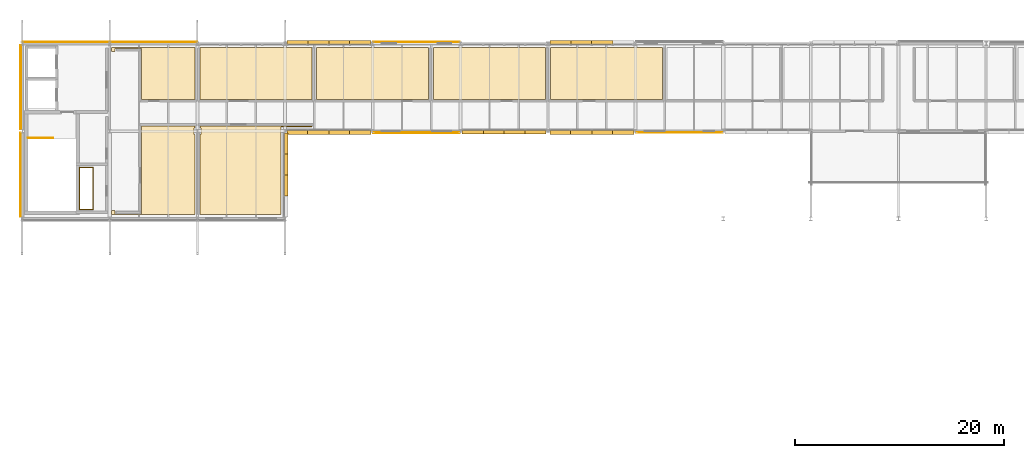
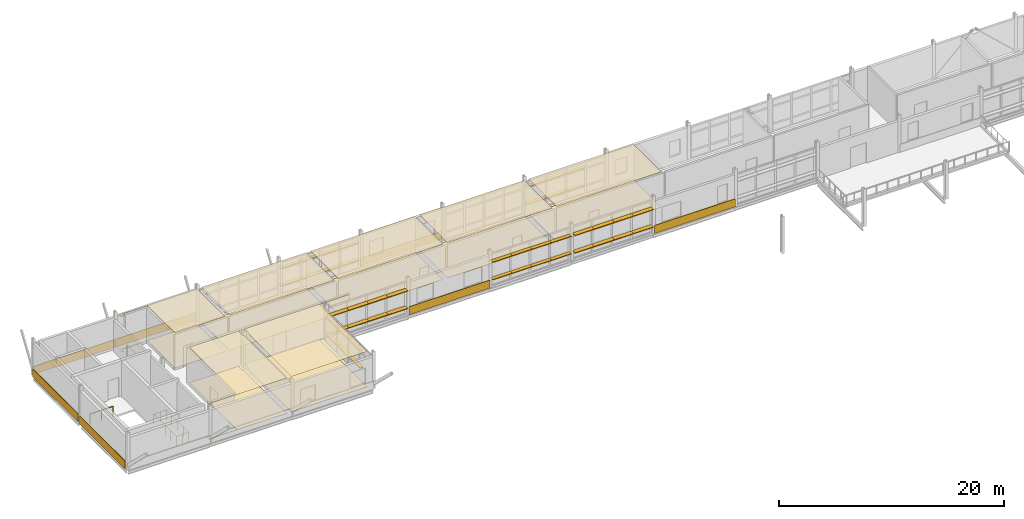
# One storey, part 53 of 57: 44 shading devices, 21 coverings, 2 railings.
"""IFC4 building model written with IfcOpenShell, lengths in metres."""

from ifc_helpers import new_model, si_unit, direction, frame, origin, origin_2d, place, context, subcontext, project, spatial, polyline, rectangle, circle, outline, extrude, material, layer, layer_set, type_object, element, save


model = new_model("IFC4")

# Units and contexts
model_context = context("Model", 3, precision=1e-05, world=origin(), true_north=direction((0.0, 1.0)))
body_context = subcontext(model_context, "Body", "Model", "MODEL_VIEW")
ifc_project = project(units=[si_unit("LENGTHUNIT", "METRE"), si_unit("AREAUNIT", "SQUARE_METRE"), si_unit("VOLUMEUNIT", "CUBIC_METRE"), si_unit("PLANEANGLEUNIT", "RADIAN"), si_unit("MASSUNIT", "GRAM", prefix="KILO")], contexts=[model_context])

# Site, building, storey
site_placement = place(None, origin())
site = spatial("IfcSite", under=ifc_project, at=site_placement, CompositionType="ELEMENT")
building_placement = place(site_placement, origin())
building = spatial("IfcBuilding", under=site, at=building_placement, Name="Mersafa Astral City Hall", CompositionType="ELEMENT")
storey_placement = place(building_placement, frame((0.0, 0.0, 26.10009765625)))
storey = spatial("IfcBuildingStorey", under=building, at=storey_placement, Name="L06", CompositionType="ELEMENT", Elevation=26.10009765625)

# Coverings
ifc_material_1 = material(Name="Cairo Mokattam buff limestone cladding", Category="masonry")
ifc_layer_1 = layer(ifc_material_1, 0.06005859375, Name="Cairo Mokattam buff limestone cladding")
ifc_layer_set_1 = layer_set([ifc_layer_1], Name="Cairo Mokattam buff limestone cladding — ENV-COV-LIMESTONE-60")
covering_type_1 = type_object("IfcCoveringType", Name="ENV-COV-LIMESTONE-60", PredefinedType="CLADDING", material=ifc_layer_set_1)
for number, where, z_axis, x_axis, name in (
    (1, (79.800048828125, 126.162109375, 0.0), (0.0, 0.0, 1.0), (-1.0, 0.0, 0.0), "L06 Cairo buff limestone rainscreen cladding 357"),
    (2, (54.60009765625, 126.154541015625, 0.0), (0.0, 0.0, 1.0), (-1.0, 0.0, 0.0), "L06 Cairo buff limestone rainscreen cladding 358"),
    (3, (46.199951171875, 126.14697265625, 0.0), (0.0, 0.0, 1.0), (-1.0, 0.0, 0.0), "L06 Cairo buff limestone rainscreen cladding 359"),
):
    element("IfcCovering", number, at=place(storey_placement, frame(where, z_axis=z_axis, x_axis=x_axis)), inside=storey, type_object=covering_type_1, Name=name, PredefinedType="CLADDING", context=body_context, shape_type="SweptSolid", body=[
        extrude(rectangle(XDim=8.323974609375, YDim=0.06005859375, at=origin_2d()), origin(), (0.0, 0.0, 1.0), 0.860107421875),
    ])
for number, where, z_axis, x_axis, name in (
    (4, (41.860595703125, 121.800048828125, 0.0), (0.0, 0.0, 1.0), (0.0, -1.0, 0.0), "L06 Cairo buff limestone rainscreen cladding 360"),
    (5, (41.822998046875, 113.39990234375, 0.0), (0.0, 0.0, 1.0), (0.0, -1.0, 0.0), "L06 Cairo buff limestone rainscreen cladding 361"),
):
    element("IfcCovering", number, at=place(storey_placement, frame(where, z_axis=z_axis, x_axis=x_axis)), inside=storey, type_object=covering_type_1, Name=name, PredefinedType="CLADDING", context=body_context, shape_type="SweptSolid", body=[
        extrude(rectangle(XDim=8.048095703125, YDim=0.06005859375, at=origin_2d()), origin(), (0.0, 0.0, 1.0), 0.860107421875),
    ])
for number, where, z_axis, x_axis, name in (
    (6, (79.800048828125, 117.452880859375, 0.0), (0.0, 0.0, 1.0), (1.0, 0.0, 0.0), "L06 Cairo buff limestone rainscreen cladding 365"),
    (7, (105.0, 117.46044921875, 0.0), (0.0, 0.0, 1.0), (1.0, 0.0, 0.0), "L06 Cairo buff limestone rainscreen cladding 366"),
):
    element("IfcCovering", number, at=place(storey_placement, frame(where, z_axis=z_axis, x_axis=x_axis)), inside=storey, type_object=covering_type_1, Name=name, PredefinedType="CLADDING", context=body_context, shape_type="SweptSolid", body=[
        extrude(rectangle(XDim=8.323974609375, YDim=0.06005859375, at=origin_2d()), origin(), (0.0, 0.0, 1.0), 0.860107421875),
    ])

# Shading devices
ifc_material_2 = material(Name="Kiln-dried cedar timber brise-soleil blade", Category="wood")
shading_device_type_1 = type_object("IfcShadingDeviceType", Name="ENV-SHD-LOUVRE-380", PredefinedType="JALOUSIE", material=ifc_material_2)
for number, where, z_axis, x_axis, name in (
    (8, (97.609619140625, 126.080078125, 0.81494140625), (0.0, 0.0, 1.0), (-1.0, 0.0, 0.0), "L06 Horizontal cedar brise-soleil louvre 1654"),
    (9, (95.590576171875, 126.080078125, 0.81494140625), (0.0, 0.0, 1.0), (-1.0, 0.0, 0.0), "L06 Horizontal cedar brise-soleil louvre 1655"),
):
    element("IfcShadingDevice", number, at=place(storey_placement, frame(where, z_axis=z_axis, x_axis=x_axis)), inside=storey, type_object=shading_device_type_1, Name=name, PredefinedType="JALOUSIE", context=body_context, shape_type="SweptSolid", body=[
        extrude(rectangle(XDim=2.05908203125, YDim=0.3798828125, at=origin_2d()), origin(), (0.0, 0.0, 1.0), 0.070068359375),
    ])
shading_device_1_placement = place(storey_placement, frame((93.58642578125, 126.080078125, 0.81494140625), z_axis=(0.0, 0.0, 1.0), x_axis=(-1.0, 0.0, 0.0)))
element("IfcShadingDevice", 10, at=shading_device_1_placement, inside=storey, type_object=shading_device_type_1, Name="L06 Horizontal cedar brise-soleil louvre 1656", PredefinedType="JALOUSIE", context=body_context, shape_type="SweptSolid", body=[
    extrude(rectangle(XDim=2.029052734375, YDim=0.3798828125, at=origin_2d()), origin(), (0.0, 0.0, 1.0), 0.070068359375),
])
for number, where, z_axis, x_axis, name in (
    (11, (97.609619140625, 126.080078125, 2.71484375), (0.0, 0.0, 1.0), (-1.0, 0.0, 0.0), "L06 Horizontal cedar brise-soleil louvre 1658"),
    (12, (95.590576171875, 126.080078125, 2.71484375), (0.0, 0.0, 1.0), (-1.0, 0.0, 0.0), "L06 Horizontal cedar brise-soleil louvre 1659"),
):
    element("IfcShadingDevice", number, at=place(storey_placement, frame(where, z_axis=z_axis, x_axis=x_axis)), inside=storey, type_object=shading_device_type_1, Name=name, PredefinedType="JALOUSIE", context=body_context, shape_type="SweptSolid", body=[
        extrude(rectangle(XDim=2.05908203125, YDim=0.3798828125, at=origin_2d()), origin(), (0.0, 0.0, 1.0), 0.070068359375),
    ])
for number, where, z_axis, x_axis, name in (
    (13, (93.58642578125, 126.080078125, 2.71484375), (0.0, 0.0, 1.0), (-1.0, 0.0, 0.0), "L06 Horizontal cedar brise-soleil louvre 1660"),
    (14, (74.41357421875, 126.080078125, 0.81494140625), (0.0, 0.0, 1.0), (-1.0, 0.0, 0.0), "L06 Horizontal cedar brise-soleil louvre 1661"),
):
    element("IfcShadingDevice", number, at=place(storey_placement, frame(where, z_axis=z_axis, x_axis=x_axis)), inside=storey, type_object=shading_device_type_1, Name=name, PredefinedType="JALOUSIE", context=body_context, shape_type="SweptSolid", body=[
        extrude(rectangle(XDim=2.029052734375, YDim=0.3798828125, at=origin_2d()), origin(), (0.0, 0.0, 1.0), 0.070068359375),
    ])
for number, where, z_axis, x_axis, name in (
    (15, (72.409423828125, 126.080078125, 0.81494140625), (0.0, 0.0, 1.0), (-1.0, 0.0, 0.0), "L06 Horizontal cedar brise-soleil louvre 1662"),
    (16, (70.390380859375, 126.080078125, 0.81494140625), (0.0, 0.0, 1.0), (-1.0, 0.0, 0.0), "L06 Horizontal cedar brise-soleil louvre 1663"),
):
    element("IfcShadingDevice", number, at=place(storey_placement, frame(where, z_axis=z_axis, x_axis=x_axis)), inside=storey, type_object=shading_device_type_1, Name=name, PredefinedType="JALOUSIE", context=body_context, shape_type="SweptSolid", body=[
        extrude(rectangle(XDim=2.05908203125, YDim=0.3798828125, at=origin_2d()), origin(), (0.0, 0.0, 1.0), 0.070068359375),
    ])
for number, where, z_axis, x_axis, name in (
    (17, (68.386474609375, 126.080078125, 0.81494140625), (0.0, 0.0, 1.0), (-1.0, 0.0, 0.0), "L06 Horizontal cedar brise-soleil louvre 1664"),
    (18, (74.41357421875, 126.080078125, 2.71484375), (0.0, 0.0, 1.0), (-1.0, 0.0, 0.0), "L06 Horizontal cedar brise-soleil louvre 1665"),
):
    element("IfcShadingDevice", number, at=place(storey_placement, frame(where, z_axis=z_axis, x_axis=x_axis)), inside=storey, type_object=shading_device_type_1, Name=name, PredefinedType="JALOUSIE", context=body_context, shape_type="SweptSolid", body=[
        extrude(rectangle(XDim=2.029052734375, YDim=0.3798828125, at=origin_2d()), origin(), (0.0, 0.0, 1.0), 0.070068359375),
    ])
for number, where, z_axis, x_axis, name in (
    (19, (72.409423828125, 126.080078125, 2.71484375), (0.0, 0.0, 1.0), (-1.0, 0.0, 0.0), "L06 Horizontal cedar brise-soleil louvre 1666"),
    (20, (70.390380859375, 126.080078125, 2.71484375), (0.0, 0.0, 1.0), (-1.0, 0.0, 0.0), "L06 Horizontal cedar brise-soleil louvre 1667"),
):
    element("IfcShadingDevice", number, at=place(storey_placement, frame(where, z_axis=z_axis, x_axis=x_axis)), inside=storey, type_object=shading_device_type_1, Name=name, PredefinedType="JALOUSIE", context=body_context, shape_type="SweptSolid", body=[
        extrude(rectangle(XDim=2.05908203125, YDim=0.3798828125, at=origin_2d()), origin(), (0.0, 0.0, 1.0), 0.070068359375),
    ])
shading_device_2_placement = place(storey_placement, frame((68.386474609375, 126.080078125, 2.71484375), z_axis=(0.0, 0.0, 1.0), x_axis=(-1.0, 0.0, 0.0)))
element("IfcShadingDevice", 21, at=shading_device_2_placement, inside=storey, type_object=shading_device_type_1, Name="L06 Horizontal cedar brise-soleil louvre 1668", PredefinedType="JALOUSIE", context=body_context, shape_type="SweptSolid", body=[
    extrude(rectangle(XDim=2.029052734375, YDim=0.3798828125, at=origin_2d()), origin(), (0.0, 0.0, 1.0), 0.070068359375),
])
for number, where, z_axis, x_axis, name in (
    (22, (67.280029296875, 112.390380859375, 0.81494140625), (0.0, 0.0, 1.0), (0.0, 1.0, 0.0), "L06 Horizontal cedar brise-soleil louvre 1670"),
    (23, (67.280029296875, 114.409423828125, 0.81494140625), (0.0, 0.0, 1.0), (0.0, 1.0, 0.0), "L06 Horizontal cedar brise-soleil louvre 1671"),
):
    element("IfcShadingDevice", number, at=place(storey_placement, frame(where, z_axis=z_axis, x_axis=x_axis)), inside=storey, type_object=shading_device_type_1, Name=name, PredefinedType="JALOUSIE", context=body_context, shape_type="SweptSolid", body=[
        extrude(rectangle(XDim=2.05908203125, YDim=0.3798828125, at=origin_2d()), origin(), (0.0, 0.0, 1.0), 0.070068359375),
    ])
shading_device_3_placement = place(storey_placement, frame((67.280029296875, 116.41357421875, 0.81494140625), z_axis=(0.0, 0.0, 1.0), x_axis=(0.0, 1.0, 0.0)))
element("IfcShadingDevice", 24, at=shading_device_3_placement, inside=storey, type_object=shading_device_type_1, Name="L06 Horizontal cedar brise-soleil louvre 1672", PredefinedType="JALOUSIE", context=body_context, shape_type="SweptSolid", body=[
    extrude(rectangle(XDim=2.029052734375, YDim=0.3798828125, at=origin_2d()), origin(), (0.0, 0.0, 1.0), 0.070068359375),
])
for number, where, z_axis, x_axis, name in (
    (25, (67.280029296875, 112.390380859375, 2.71484375), (0.0, 0.0, 1.0), (0.0, 1.0, 0.0), "L06 Horizontal cedar brise-soleil louvre 1674"),
    (26, (67.280029296875, 114.409423828125, 2.71484375), (0.0, 0.0, 1.0), (0.0, 1.0, 0.0), "L06 Horizontal cedar brise-soleil louvre 1675"),
):
    element("IfcShadingDevice", number, at=place(storey_placement, frame(where, z_axis=z_axis, x_axis=x_axis)), inside=storey, type_object=shading_device_type_1, Name=name, PredefinedType="JALOUSIE", context=body_context, shape_type="SweptSolid", body=[
        extrude(rectangle(XDim=2.05908203125, YDim=0.3798828125, at=origin_2d()), origin(), (0.0, 0.0, 1.0), 0.070068359375),
    ])
for number, where, z_axis, x_axis, name in (
    (27, (67.280029296875, 116.41357421875, 2.71484375), (0.0, 0.0, 1.0), (0.0, 1.0, 0.0), "L06 Horizontal cedar brise-soleil louvre 1676"),
    (28, (85.1865234375, 117.52001953125, 0.81494140625), (0.0, 0.0, 1.0), (1.0, 0.0, 0.0), "L06 Horizontal cedar brise-soleil louvre 1685"),
):
    element("IfcShadingDevice", number, at=place(storey_placement, frame(where, z_axis=z_axis, x_axis=x_axis)), inside=storey, type_object=shading_device_type_1, Name=name, PredefinedType="JALOUSIE", context=body_context, shape_type="SweptSolid", body=[
        extrude(rectangle(XDim=2.029052734375, YDim=0.3798828125, at=origin_2d()), origin(), (0.0, 0.0, 1.0), 0.070068359375),
    ])
for number, where, z_axis, x_axis, name in (
    (29, (87.1904296875, 117.52001953125, 0.81494140625), (0.0, 0.0, 1.0), (1.0, 0.0, 0.0), "L06 Horizontal cedar brise-soleil louvre 1686"),
    (30, (89.20947265625, 117.52001953125, 0.81494140625), (0.0, 0.0, 1.0), (1.0, 0.0, 0.0), "L06 Horizontal cedar brise-soleil louvre 1687"),
):
    element("IfcShadingDevice", number, at=place(storey_placement, frame(where, z_axis=z_axis, x_axis=x_axis)), inside=storey, type_object=shading_device_type_1, Name=name, PredefinedType="JALOUSIE", context=body_context, shape_type="SweptSolid", body=[
        extrude(rectangle(XDim=2.05908203125, YDim=0.3798828125, at=origin_2d()), origin(), (0.0, 0.0, 1.0), 0.070068359375),
    ])
for number, where, z_axis, x_axis, name in (
    (31, (91.21337890625, 117.52001953125, 0.81494140625), (0.0, 0.0, 1.0), (1.0, 0.0, 0.0), "L06 Horizontal cedar brise-soleil louvre 1688"),
    (32, (85.1865234375, 117.52001953125, 2.71484375), (0.0, 0.0, 1.0), (1.0, 0.0, 0.0), "L06 Horizontal cedar brise-soleil louvre 1689"),
):
    element("IfcShadingDevice", number, at=place(storey_placement, frame(where, z_axis=z_axis, x_axis=x_axis)), inside=storey, type_object=shading_device_type_1, Name=name, PredefinedType="JALOUSIE", context=body_context, shape_type="SweptSolid", body=[
        extrude(rectangle(XDim=2.029052734375, YDim=0.3798828125, at=origin_2d()), origin(), (0.0, 0.0, 1.0), 0.070068359375),
    ])
for number, where, z_axis, x_axis, name in (
    (33, (87.1904296875, 117.52001953125, 2.71484375), (0.0, 0.0, 1.0), (1.0, 0.0, 0.0), "L06 Horizontal cedar brise-soleil louvre 1690"),
    (34, (89.20947265625, 117.52001953125, 2.71484375), (0.0, 0.0, 1.0), (1.0, 0.0, 0.0), "L06 Horizontal cedar brise-soleil louvre 1691"),
):
    element("IfcShadingDevice", number, at=place(storey_placement, frame(where, z_axis=z_axis, x_axis=x_axis)), inside=storey, type_object=shading_device_type_1, Name=name, PredefinedType="JALOUSIE", context=body_context, shape_type="SweptSolid", body=[
        extrude(rectangle(XDim=2.05908203125, YDim=0.3798828125, at=origin_2d()), origin(), (0.0, 0.0, 1.0), 0.070068359375),
    ])
shading_device_4_placement = place(storey_placement, frame((91.21337890625, 117.52001953125, 2.71484375), z_axis=(0.0, 0.0, 1.0), x_axis=(1.0, 0.0, 0.0)))
element("IfcShadingDevice", 35, at=shading_device_4_placement, inside=storey, type_object=shading_device_type_1, Name="L06 Horizontal cedar brise-soleil louvre 1692", PredefinedType="JALOUSIE", context=body_context, shape_type="SweptSolid", body=[
    extrude(rectangle(XDim=2.029052734375, YDim=0.3798828125, at=origin_2d()), origin(), (0.0, 0.0, 1.0), 0.070068359375),
])
shading_device_type_2 = type_object("IfcShadingDeviceType", Name="ENV-SHD-LOUVRE-450", PredefinedType="JALOUSIE", material=ifc_material_2)
shading_device_5_placement = place(storey_placement, frame((68.386474609375, 117.485107421875, 0.809814453125), z_axis=(0.0, 0.0, 1.0), x_axis=(1.0, 0.0, 0.0)))
element("IfcShadingDevice", 36, at=shading_device_5_placement, inside=storey, type_object=shading_device_type_2, Name="L06 Horizontal cedar brise-soleil louvre 1677", PredefinedType="JALOUSIE", context=body_context, shape_type="SweptSolid", body=[
    extrude(rectangle(XDim=2.029052734375, YDim=0.449951171875, at=origin_2d()), origin(), (0.0, 0.0, 1.0), 0.080078125),
])
for number, where, z_axis, x_axis, name in (
    (37, (70.390380859375, 117.485107421875, 0.809814453125), (0.0, 0.0, 1.0), (1.0, 0.0, 0.0), "L06 Horizontal cedar brise-soleil louvre 1678"),
    (38, (72.409423828125, 117.485107421875, 0.809814453125), (0.0, 0.0, 1.0), (1.0, 0.0, 0.0), "L06 Horizontal cedar brise-soleil louvre 1679"),
):
    element("IfcShadingDevice", number, at=place(storey_placement, frame(where, z_axis=z_axis, x_axis=x_axis)), inside=storey, type_object=shading_device_type_2, Name=name, PredefinedType="JALOUSIE", context=body_context, shape_type="SweptSolid", body=[
        extrude(rectangle(XDim=2.05908203125, YDim=0.449951171875, at=origin_2d()), origin(), (0.0, 0.0, 1.0), 0.080078125),
    ])
for number, where, z_axis, x_axis, name in (
    (39, (74.41357421875, 117.485107421875, 0.809814453125), (0.0, 0.0, 1.0), (1.0, 0.0, 0.0), "L06 Horizontal cedar brise-soleil louvre 1680"),
    (40, (68.386474609375, 117.485107421875, 2.7099609375), (0.0, 0.0, 1.0), (1.0, 0.0, 0.0), "L06 Horizontal cedar brise-soleil louvre 1681"),
):
    element("IfcShadingDevice", number, at=place(storey_placement, frame(where, z_axis=z_axis, x_axis=x_axis)), inside=storey, type_object=shading_device_type_2, Name=name, PredefinedType="JALOUSIE", context=body_context, shape_type="SweptSolid", body=[
        extrude(rectangle(XDim=2.029052734375, YDim=0.449951171875, at=origin_2d()), origin(), (0.0, 0.0, 1.0), 0.080078125),
    ])
for number, where, z_axis, x_axis, name in (
    (41, (70.390380859375, 117.485107421875, 2.7099609375), (0.0, 0.0, 1.0), (1.0, 0.0, 0.0), "L06 Horizontal cedar brise-soleil louvre 1682"),
    (42, (72.409423828125, 117.485107421875, 2.7099609375), (0.0, 0.0, 1.0), (1.0, 0.0, 0.0), "L06 Horizontal cedar brise-soleil louvre 1683"),
):
    element("IfcShadingDevice", number, at=place(storey_placement, frame(where, z_axis=z_axis, x_axis=x_axis)), inside=storey, type_object=shading_device_type_2, Name=name, PredefinedType="JALOUSIE", context=body_context, shape_type="SweptSolid", body=[
        extrude(rectangle(XDim=2.05908203125, YDim=0.449951171875, at=origin_2d()), origin(), (0.0, 0.0, 1.0), 0.080078125),
    ])
for number, where, z_axis, x_axis, name in (
    (43, (74.41357421875, 117.485107421875, 2.7099609375), (0.0, 0.0, 1.0), (1.0, 0.0, 0.0), "L06 Horizontal cedar brise-soleil louvre 1684"),
    (44, (93.58642578125, 117.485107421875, 0.809814453125), (0.0, 0.0, 1.0), (1.0, 0.0, 0.0), "L06 Horizontal cedar brise-soleil louvre 1693"),
):
    element("IfcShadingDevice", number, at=place(storey_placement, frame(where, z_axis=z_axis, x_axis=x_axis)), inside=storey, type_object=shading_device_type_2, Name=name, PredefinedType="JALOUSIE", context=body_context, shape_type="SweptSolid", body=[
        extrude(rectangle(XDim=2.029052734375, YDim=0.449951171875, at=origin_2d()), origin(), (0.0, 0.0, 1.0), 0.080078125),
    ])
for number, where, z_axis, x_axis, name in (
    (45, (95.590576171875, 117.485107421875, 0.809814453125), (0.0, 0.0, 1.0), (1.0, 0.0, 0.0), "L06 Horizontal cedar brise-soleil louvre 1694"),
    (46, (97.609619140625, 117.485107421875, 0.809814453125), (0.0, 0.0, 1.0), (1.0, 0.0, 0.0), "L06 Horizontal cedar brise-soleil louvre 1695"),
):
    element("IfcShadingDevice", number, at=place(storey_placement, frame(where, z_axis=z_axis, x_axis=x_axis)), inside=storey, type_object=shading_device_type_2, Name=name, PredefinedType="JALOUSIE", context=body_context, shape_type="SweptSolid", body=[
        extrude(rectangle(XDim=2.05908203125, YDim=0.449951171875, at=origin_2d()), origin(), (0.0, 0.0, 1.0), 0.080078125),
    ])
for number, where, z_axis, x_axis, name in (
    (47, (99.613525390625, 117.485107421875, 0.809814453125), (0.0, 0.0, 1.0), (1.0, 0.0, 0.0), "L06 Horizontal cedar brise-soleil louvre 1696"),
    (48, (93.58642578125, 117.485107421875, 2.7099609375), (0.0, 0.0, 1.0), (1.0, 0.0, 0.0), "L06 Horizontal cedar brise-soleil louvre 1697"),
):
    element("IfcShadingDevice", number, at=place(storey_placement, frame(where, z_axis=z_axis, x_axis=x_axis)), inside=storey, type_object=shading_device_type_2, Name=name, PredefinedType="JALOUSIE", context=body_context, shape_type="SweptSolid", body=[
        extrude(rectangle(XDim=2.029052734375, YDim=0.449951171875, at=origin_2d()), origin(), (0.0, 0.0, 1.0), 0.080078125),
    ])
for number, where, z_axis, x_axis, name in (
    (49, (95.590576171875, 117.485107421875, 2.7099609375), (0.0, 0.0, 1.0), (1.0, 0.0, 0.0), "L06 Horizontal cedar brise-soleil louvre 1698"),
    (50, (97.609619140625, 117.485107421875, 2.7099609375), (0.0, 0.0, 1.0), (1.0, 0.0, 0.0), "L06 Horizontal cedar brise-soleil louvre 1699"),
):
    element("IfcShadingDevice", number, at=place(storey_placement, frame(where, z_axis=z_axis, x_axis=x_axis)), inside=storey, type_object=shading_device_type_2, Name=name, PredefinedType="JALOUSIE", context=body_context, shape_type="SweptSolid", body=[
        extrude(rectangle(XDim=2.05908203125, YDim=0.449951171875, at=origin_2d()), origin(), (0.0, 0.0, 1.0), 0.080078125),
    ])
shading_device_6_placement = place(storey_placement, frame((99.613525390625, 117.485107421875, 2.7099609375), z_axis=(0.0, 0.0, 1.0), x_axis=(1.0, 0.0, 0.0)))
element("IfcShadingDevice", 51, at=shading_device_6_placement, inside=storey, type_object=shading_device_type_2, Name="L06 Horizontal cedar brise-soleil louvre 1700", PredefinedType="JALOUSIE", context=body_context, shape_type="SweptSolid", body=[
    extrude(rectangle(XDim=2.029052734375, YDim=0.449951171875, at=origin_2d()), origin(), (0.0, 0.0, 1.0), 0.080078125),
])

# Railings
ifc_material_3 = material(Name="Painted architectural steel stair guard balustrade", Category="steel")
railing_type = type_object("IfcRailingType", Name="GUARD-RAIL", PredefinedType="BALUSTRADE", material=ifc_material_3)
railing_1_placement = place(storey_placement, frame((42.580078125, 116.949951171875, 0.0)))
element("IfcRailing", 52, at=railing_1_placement, inside=storey, type_object=railing_type, Name="L06 ST3 top well guard 1", PredefinedType="BALUSTRADE", context=body_context, shape_type="SweptSolid", body=[
    extrude(circle(Radius=0.02392578125, at=origin_2d()), frame((0.0, 0.0, 1.09619140625), z_axis=(1.0, 0.0, 0.0), x_axis=(0.0, 1.0, 0.0)), (0.0, 0.0, 1.0), 2.35986328125),
    extrude(circle(Radius=0.02099609375, at=origin_2d()), origin(), (0.0, 0.0, 1.0), 1.072021484375),
    extrude(circle(Radius=0.02099609375, at=origin_2d()), frame((1.179931640625, 0.0, 0.0)), (0.0, 0.0, 1.0), 1.072021484375),
    extrude(circle(Radius=0.02099609375, at=origin_2d()), frame((2.35986328125, 0.0, 0.0)), (0.0, 0.0, 1.0), 1.072021484375),
])
railing_2_placement = place(storey_placement, frame((47.5, 110.10009765625, 0.0)))
element("IfcRailing", 53, at=railing_2_placement, inside=storey, type_object=railing_type, Name="L06 K3 MEP Riser Shaft Guard", PredefinedType="BALUSTRADE", context=body_context, shape_type="SweptSolid", body=[
    extrude(circle(Radius=0.02392578125, at=origin_2d()), frame((0.0, 0.0, 1.09619140625), z_axis=(1.0, 0.0, 0.0), x_axis=(0.0, 1.0, 0.0)), (0.0, 0.0, 1.0), 1.280029296875),
    extrude(circle(Radius=0.02392578125, at=origin_2d()), frame((1.280029296875, 0.0, 1.09619140625), z_axis=(0.0, 1.0, 0.0), x_axis=(-1.0, 0.0, 0.0)), (0.0, 0.0, 1.0), 4.0),
    extrude(circle(Radius=0.02392578125, at=origin_2d()), frame((1.280029296875, 4.0, 1.09619140625), z_axis=(-1.0, 0.0, 0.0), x_axis=(0.0, -1.0, 0.0)), (0.0, 0.0, 1.0), 1.280029296875),
    extrude(circle(Radius=0.02392578125, at=origin_2d()), frame((0.0, 4.0, 1.09619140625), z_axis=(0.0, -1.0, 0.0), x_axis=(1.0, 0.0, 0.0)), (0.0, 0.0, 1.0), 4.0),
    extrude(circle(Radius=0.02099609375, at=origin_2d()), origin(), (0.0, 0.0, 1.0), 1.072021484375),
    extrude(circle(Radius=0.02099609375, at=origin_2d()), frame((0.64013671875, 0.0, 0.0)), (0.0, 0.0, 1.0), 1.072021484375),
    extrude(circle(Radius=0.02099609375, at=origin_2d()), frame((1.280029296875, 0.0, 0.0)), (0.0, 0.0, 1.0), 1.072021484375),
    extrude(circle(Radius=0.02099609375, at=origin_2d()), frame((1.280029296875, 1.0, 0.0)), (0.0, 0.0, 1.0), 1.072021484375),
    extrude(circle(Radius=0.02099609375, at=origin_2d()), frame((1.280029296875, 2.0, 0.0)), (0.0, 0.0, 1.0), 1.072021484375),
    extrude(circle(Radius=0.02099609375, at=origin_2d()), frame((1.280029296875, 3.0, 0.0)), (0.0, 0.0, 1.0), 1.072021484375),
    extrude(circle(Radius=0.02099609375, at=origin_2d()), frame((1.280029296875, 4.0, 0.0)), (0.0, 0.0, 1.0), 1.072021484375),
    extrude(circle(Radius=0.02099609375, at=origin_2d()), frame((0.64013671875, 4.0, 0.0)), (0.0, 0.0, 1.0), 1.072021484375),
    extrude(circle(Radius=0.02099609375, at=origin_2d()), frame((0.0, 4.0, 0.0)), (0.0, 0.0, 1.0), 1.072021484375),
    extrude(circle(Radius=0.02099609375, at=origin_2d()), frame((0.0, 3.0, 0.0)), (0.0, 0.0, 1.0), 1.072021484375),
    extrude(circle(Radius=0.02099609375, at=origin_2d()), frame((0.0, 2.0, 0.0)), (0.0, 0.0, 1.0), 1.072021484375),
    extrude(circle(Radius=0.02099609375, at=origin_2d()), frame((0.0, 1.0, 0.0)), (0.0, 0.0, 1.0), 1.072021484375),
])

# Coverings
ifc_material_4 = material(Name="Perforated acoustic gypsum board ceiling", Category="gypsum")
ifc_layer_2 = layer(ifc_material_4, 0.02490234375, Name="Perforated acoustic gypsum board ceiling")
ifc_layer_set_2 = layer_set([ifc_layer_2], Name="Perforated acoustic gypsum board ceiling — INT-COV-CEIL-25")
covering_type_2 = type_object("IfcCoveringType", Name="INT-COV-CEIL-25", PredefinedType="CEILING", material=ifc_layer_set_2)
covering_1_placement = place(storey_placement, frame((0.0, 0.0, 3.830810546875)))
element("IfcCovering", 54, at=covering_1_placement, inside=storey, type_object=covering_type_2, Name="L06 Mayoral Suite L06-01 acoustic ceiling", PredefinedType="CEILING", context=body_context, shape_type="SweptSolid", body=[
    extrude(outline(polyline([(59.1201171875, 117.280029296875), (59.1201171875, 117.919921875), (59.030029296875, 117.919921875), (59.030029296875, 118.080078125), (69.77001953125, 118.080078125), (69.77001953125, 118.0), (66.800048828125, 118.0), (66.800048828125, 109.60009765625), (59.030029296875, 109.60009765625), (59.030029296875, 117.280029296875), (59.1201171875, 117.280029296875)])), origin(), (0.0, 0.0, 1.0), 0.025146484375),
])
covering_2_placement = place(storey_placement, frame((0.0, 0.0, 3.830810546875)))
element("IfcCovering", 55, at=covering_2_placement, inside=storey, type_object=covering_type_2, Name="L06 Municipal Cabinet Meeting Room L06-03 acoustic ceiling", PredefinedType="CEILING", context=body_context, shape_type="SweptSolid", body=[
    extrude(outline(polyline([(59.030029296875, 120.639892578125), (59.030029296875, 125.60009765625), (69.77001953125, 125.60009765625), (69.77001953125, 120.639892578125), (59.030029296875, 120.639892578125)])), origin(), (0.0, 0.0, 1.0), 0.025146484375),
])
covering_3_placement = place(storey_placement, frame((0.0, 0.0, 3.830810546875)))
element("IfcCovering", 56, at=covering_3_placement, inside=storey, type_object=covering_type_2, Name="L06 Executive Briefing Room L06-04 acoustic ceiling", PredefinedType="CEILING", context=body_context, shape_type="SweptSolid", body=[
    extrude(outline(polyline([(70.22998046875, 120.639892578125), (70.22998046875, 125.60009765625), (80.969970703125, 125.60009765625), (80.969970703125, 120.639892578125), (70.22998046875, 120.639892578125)])), origin(), (0.0, 0.0, 1.0), 0.025146484375),
])
covering_4_placement = place(storey_placement, frame((0.0, 0.0, 3.830810546875)))
element("IfcCovering", 57, at=covering_4_placement, inside=storey, type_object=covering_type_2, Name="L06 Civic Diplomatic Reception Salon L06-05 acoustic ceiling", PredefinedType="CEILING", context=body_context, shape_type="SweptSolid", body=[
    extrude(outline(polyline([(81.429931640625, 120.639892578125), (81.429931640625, 125.60009765625), (92.169921875, 125.60009765625), (92.169921875, 120.639892578125), (81.429931640625, 120.639892578125)])), origin(), (0.0, 0.0, 1.0), 0.025146484375),
])
covering_5_placement = place(storey_placement, frame((0.0, 0.0, 3.830810546875)))
element("IfcCovering", 58, at=covering_5_placement, inside=storey, type_object=covering_type_2, Name="L06 Chief Of Staff Office L06-06 acoustic ceiling", PredefinedType="CEILING", context=body_context, shape_type="SweptSolid", body=[
    extrude(outline(polyline([(92.6298828125, 120.639892578125), (92.6298828125, 125.60009765625), (103.3701171875, 125.60009765625), (103.3701171875, 120.639892578125), (92.6298828125, 120.639892578125)])), origin(), (0.0, 0.0, 1.0), 0.025146484375),
])
covering_6_placement = place(storey_placement, frame((0.0, 0.0, 3.830810546875)))
element("IfcCovering", 59, at=covering_6_placement, inside=storey, type_object=covering_type_2, Name="L06 Municipal Cabinet Meeting Room L06-10 acoustic ceiling", PredefinedType="CEILING", context=body_context, shape_type="SweptSolid", body=[
    extrude(outline(polyline([(50.8798828125, 109.679931640625), (53.43994140625, 109.679931640625), (53.43994140625, 118.080078125), (58.570068359375, 118.080078125), (58.570068359375, 117.919921875), (58.47998046875, 117.919921875), (58.47998046875, 117.280029296875), (58.570068359375, 117.280029296875), (58.570068359375, 109.60009765625), (50.56005859375, 109.60009765625), (50.56005859375, 109.97998046875), (50.8798828125, 109.97998046875), (50.8798828125, 109.679931640625)])), origin(), (0.0, 0.0, 1.0), 0.025146484375),
])
covering_7_placement = place(storey_placement, frame((0.0, 0.0, 3.830810546875)))
element("IfcCovering", 60, at=covering_7_placement, inside=storey, type_object=covering_type_2, Name="L06 Chief Of Staff Office L06-13 acoustic ceiling", PredefinedType="CEILING", context=body_context, shape_type="SweptSolid", body=[
    extrude(outline(polyline([(53.43994140625, 120.639892578125), (53.43994140625, 125.52001953125), (50.8798828125, 125.52001953125), (50.8798828125, 125.219970703125), (50.56005859375, 125.219970703125), (50.56005859375, 125.60009765625), (58.570068359375, 125.60009765625), (58.570068359375, 120.639892578125), (53.43994140625, 120.639892578125)])), origin(), (0.0, 0.0, 1.0), 0.025146484375),
])
ifc_material_5 = material(Name="Heavy-duty woven acoustic carpet tile", Category="finish")
ifc_layer_3 = layer(ifc_material_5, 0.014892578125, Name="Heavy-duty woven acoustic carpet tile")
ifc_layer_set_3 = layer_set([ifc_layer_3], Name="Heavy-duty woven acoustic carpet tile — INT-COV-FLR-15")
covering_type_3 = type_object("IfcCoveringType", Name="INT-COV-FLR-15", PredefinedType="FLOORING", material=ifc_layer_set_3)
covering_8_placement = place(storey_placement, frame((0.0, 0.0, -0.001708984375)))
element("IfcCovering", 61, at=covering_8_placement, inside=storey, type_object=covering_type_3, Name="L06 Mayoral Suite L06-01 architectural flooring", PredefinedType="FLOORING", context=body_context, shape_type="SweptSolid", body=[
    extrude(outline(polyline([(59.1201171875, 117.280029296875), (59.1201171875, 117.919921875), (59.030029296875, 117.919921875), (59.030029296875, 118.080078125), (69.77001953125, 118.080078125), (69.77001953125, 118.0), (66.800048828125, 118.0), (66.800048828125, 109.60009765625), (59.030029296875, 109.60009765625), (59.030029296875, 117.280029296875), (59.1201171875, 117.280029296875)])), origin(), (0.0, 0.0, 1.0), 0.014892578125),
])
covering_9_placement = place(storey_placement, frame((0.0, 0.0, -0.001708984375)))
element("IfcCovering", 62, at=covering_9_placement, inside=storey, type_object=covering_type_3, Name="L06 Municipal Cabinet Meeting Room L06-03 architectural flooring", PredefinedType="FLOORING", context=body_context, shape_type="SweptSolid", body=[
    extrude(outline(polyline([(59.030029296875, 120.639892578125), (59.030029296875, 125.60009765625), (69.77001953125, 125.60009765625), (69.77001953125, 120.639892578125), (59.030029296875, 120.639892578125)])), origin(), (0.0, 0.0, 1.0), 0.014892578125),
])
covering_10_placement = place(storey_placement, frame((0.0, 0.0, -0.001708984375)))
element("IfcCovering", 63, at=covering_10_placement, inside=storey, type_object=covering_type_3, Name="L06 Executive Briefing Room L06-04 architectural flooring", PredefinedType="FLOORING", context=body_context, shape_type="SweptSolid", body=[
    extrude(outline(polyline([(70.22998046875, 120.639892578125), (70.22998046875, 125.60009765625), (80.969970703125, 125.60009765625), (80.969970703125, 120.639892578125), (70.22998046875, 120.639892578125)])), origin(), (0.0, 0.0, 1.0), 0.014892578125),
])
covering_11_placement = place(storey_placement, frame((0.0, 0.0, -0.001708984375)))
element("IfcCovering", 64, at=covering_11_placement, inside=storey, type_object=covering_type_3, Name="L06 Civic Diplomatic Reception Salon L06-05 architectural flooring", PredefinedType="FLOORING", context=body_context, shape_type="SweptSolid", body=[
    extrude(outline(polyline([(81.429931640625, 120.639892578125), (81.429931640625, 125.60009765625), (92.169921875, 125.60009765625), (92.169921875, 120.639892578125), (81.429931640625, 120.639892578125)])), origin(), (0.0, 0.0, 1.0), 0.014892578125),
])
covering_12_placement = place(storey_placement, frame((0.0, 0.0, -0.001708984375)))
element("IfcCovering", 65, at=covering_12_placement, inside=storey, type_object=covering_type_3, Name="L06 Chief Of Staff Office L06-06 architectural flooring", PredefinedType="FLOORING", context=body_context, shape_type="SweptSolid", body=[
    extrude(outline(polyline([(92.6298828125, 120.639892578125), (92.6298828125, 125.60009765625), (103.3701171875, 125.60009765625), (103.3701171875, 120.639892578125), (92.6298828125, 120.639892578125)])), origin(), (0.0, 0.0, 1.0), 0.014892578125),
])
covering_13_placement = place(storey_placement, frame((0.0, 0.0, -0.001708984375)))
element("IfcCovering", 66, at=covering_13_placement, inside=storey, type_object=covering_type_3, Name="L06 Municipal Cabinet Meeting Room L06-10 architectural flooring", PredefinedType="FLOORING", context=body_context, shape_type="SweptSolid", body=[
    extrude(outline(polyline([(50.8798828125, 109.679931640625), (53.43994140625, 109.679931640625), (53.43994140625, 118.080078125), (58.570068359375, 118.080078125), (58.570068359375, 117.919921875), (58.47998046875, 117.919921875), (58.47998046875, 117.280029296875), (58.570068359375, 117.280029296875), (58.570068359375, 109.60009765625), (50.56005859375, 109.60009765625), (50.56005859375, 109.97998046875), (50.8798828125, 109.97998046875), (50.8798828125, 109.679931640625)])), origin(), (0.0, 0.0, 1.0), 0.014892578125),
])
covering_14_placement = place(storey_placement, frame((0.0, 0.0, -0.001708984375)))
element("IfcCovering", 67, at=covering_14_placement, inside=storey, type_object=covering_type_3, Name="L06 Chief Of Staff Office L06-13 architectural flooring", PredefinedType="FLOORING", context=body_context, shape_type="SweptSolid", body=[
    extrude(outline(polyline([(53.43994140625, 120.639892578125), (53.43994140625, 125.52001953125), (50.8798828125, 125.52001953125), (50.8798828125, 125.219970703125), (50.56005859375, 125.219970703125), (50.56005859375, 125.60009765625), (58.570068359375, 125.60009765625), (58.570068359375, 120.639892578125), (53.43994140625, 120.639892578125)])), origin(), (0.0, 0.0, 1.0), 0.014892578125),
])

save(model, "model.ifc")
